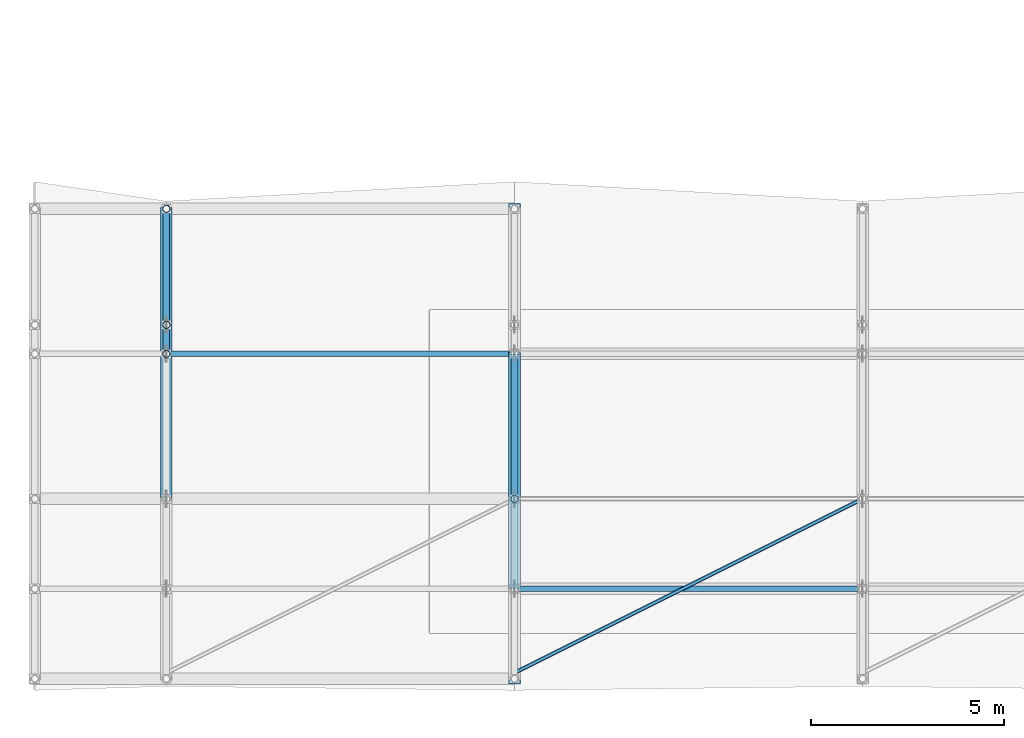
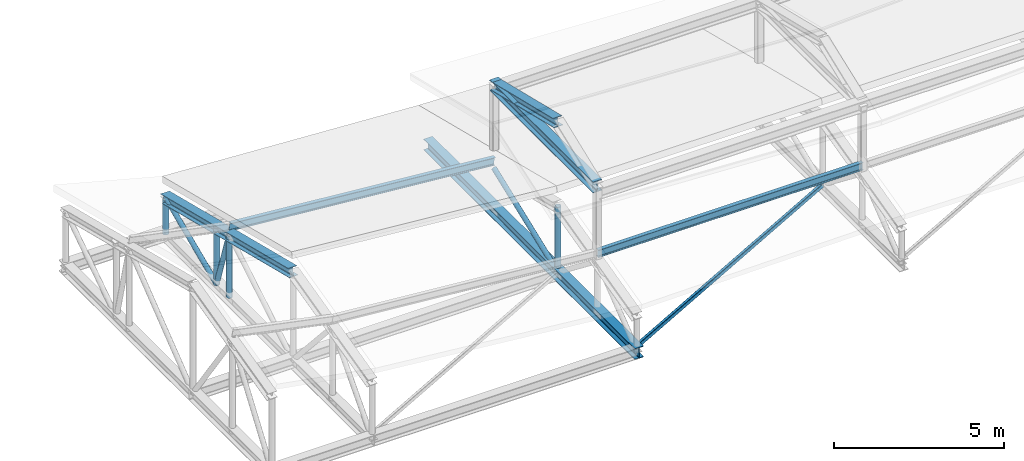
# One storey, part 13 of 55: 12 members, 2 beams.
"""IFC4 building model written with IfcOpenShell, lengths in metres."""

import ifcopenshell
import ifcopenshell.guid

model = None  # the IFC model being written
_history = None  # IfcOwnerHistory: only IFC2X3 demands one
_inside = {}  # id of a spatial element -> (the spatial element, [elements in it])
_under = {}  # id of a project, library or spatial element -> (it, [spatial elements below it])
_declared = {}  # id of a project -> (the project, [libraries it declares])
_typed = {}  # id of a type object -> (the type object, [elements of that type])
_made_of = {}  # id of a material, layer set ... -> (it, [elements and type objects made of it])


def new_model(schema):
    """Start an empty IFC model of exactly this schema.

    Asked for "IFC4X3", IfcOpenShell would pick the latest addendum, in which some entities
    have other attributes; the version numbers below select the first issue.
    IFC2X3 requires an IfcOwnerHistory on every rooted entity: one is made here for all.
    """
    global model, _history
    if schema == "IFC4X3":
        model = ifcopenshell.file(schema_version=(4, 3, 0, 0))
    else:
        model = ifcopenshell.file(schema=schema)
    _inside.clear()
    _under.clear()
    _declared.clear()
    _typed.clear()
    _made_of.clear()
    _history = None
    if model.schema == "IFC2X3":
        org = make("IfcOrganization", Name="unknown")
        user = make(
            "IfcPersonAndOrganization",
            ThePerson=make("IfcPerson", FamilyName="unknown"),
            TheOrganization=org,
        )
        app = make(
            "IfcApplication",
            ApplicationDeveloper=org,
            Version="unknown",
            ApplicationFullName="unknown",
            ApplicationIdentifier="unknown",
        )
        _history = make(
            "IfcOwnerHistory",
            OwningUser=user,
            OwningApplication=app,
            ChangeAction="ADDED",
            CreationDate=0,
        )
    return model


def make(cls, **values):
    """One entity of the class cls with the attributes given. An attribute that is None is left unset."""
    return model.create_entity(
        cls, **{name: value for name, value in values.items() if value is not None}
    )


def rooted(cls, **values):
    """An entity with a GlobalId (a new one), such as an element, a storey or a relation."""
    return make(cls, GlobalId=ifcopenshell.guid.new(), OwnerHistory=_history, **values)


def si_unit(unit_type, name, prefix=None):
    """IfcSIUnit, for example si_unit("LENGTHUNIT", "METRE", prefix="MILLI")."""
    return make("IfcSIUnit", UnitType=unit_type, Prefix=prefix, Name=name)


def assignment(units):
    """IfcUnitAssignment: the units of a project."""
    return None if units is None else make("IfcUnitAssignment", Units=units)


def point(xyz):
    """IfcCartesianPoint."""
    return None if xyz is None else make("IfcCartesianPoint", Coordinates=xyz)


def direction(xyz):
    """IfcDirection."""
    return None if xyz is None else make("IfcDirection", DirectionRatios=xyz)


def frame(location, z_axis=None, x_axis=None):
    """IfcAxis2Placement3D, a coordinate frame: its origin and axes. An axis left out is left unset."""
    return make(
        "IfcAxis2Placement3D",
        Location=point(location),
        Axis=direction(z_axis),
        RefDirection=direction(x_axis),
    )


def frame_2d(location, x_axis=None):
    """IfcAxis2Placement2D, a coordinate frame in the plane: its origin and x axis."""
    return make(
        "IfcAxis2Placement2D", Location=point(location), RefDirection=direction(x_axis)
    )


def origin():
    """The frame at (0, 0, 0) with its axes left unset."""
    return frame((0.0, 0.0, 0.0))


def origin_2d():
    """The frame at (0, 0) in the plane with its x axis left unset."""
    return frame_2d((0.0, 0.0))


def place(relative_to, where):
    """IfcLocalPlacement: puts the frame where relative to a parent placement (None: the world)."""
    return make(
        "IfcLocalPlacement", PlacementRelTo=relative_to, RelativePlacement=where
    )


def context(
    kind, dimensions, precision=None, world=None, true_north=None, identifier=None
):
    """IfcGeometricRepresentationContext, for example the 3D "Model" context."""
    return make(
        "IfcGeometricRepresentationContext",
        ContextIdentifier=identifier,
        ContextType=kind,
        CoordinateSpaceDimension=dimensions,
        Precision=precision,
        WorldCoordinateSystem=world,
        TrueNorth=true_north,
    )


def subcontext(parent, identifier, kind, view, scale=None):
    """IfcGeometricRepresentationSubContext, for example "Body" below "Model"."""
    return make(
        "IfcGeometricRepresentationSubContext",
        ContextIdentifier=identifier,
        ContextType=kind,
        ParentContext=parent,
        TargetScale=scale,
        TargetView=view,
    )


def project(units=None, contexts=None):
    """IfcProject with its units and contexts."""
    return rooted(
        "IfcProject",
        Name="project",
        RepresentationContexts=contexts,
        UnitsInContext=assignment(units),
    )


def spatial(cls, under=None, at=None, **own):
    """A site, building, storey or space (cls), placed at a placement, below another one or the project."""
    s = rooted(cls, ObjectPlacement=at, **own)
    if under is not None:
        _under.setdefault(under.id(), (under, []))[1].append(s)
    return s


def profile(cls, at=None, kind="AREA", **sizes):
    """A parametric profile (cls). Its sizes go by their IFC names, for example OverallWidth=200.0."""
    return make(cls, ProfileType=kind, Position=at, **sizes)


def hollow_rectangle(**sizes):
    """IfcRectangleHollowProfileDef."""
    return profile("IfcRectangleHollowProfileDef", **sizes)


def hollow_circle(**sizes):
    """IfcCircleHollowProfileDef."""
    return profile("IfcCircleHollowProfileDef", **sizes)


def i_section(**sizes):
    """IfcIShapeProfileDef."""
    return profile("IfcIShapeProfileDef", **sizes)


def extrude(swept, where, along, depth):
    """IfcExtrudedAreaSolid: the profile swept, set in the frame where, extruded along a direction by depth."""
    return make(
        "IfcExtrudedAreaSolid",
        SweptArea=swept,
        Position=where,
        ExtrudedDirection=direction(along),
        Depth=depth,
    )


def shape(context_of_items, identifier, shape_type, items):
    """IfcShapeRepresentation: the items that make up one representation, for example the "Body"."""
    return make(
        "IfcShapeRepresentation",
        ContextOfItems=context_of_items,
        RepresentationIdentifier=identifier,
        RepresentationType=shape_type,
        Items=items,
    )


def material(Name=None, Category=None):
    """IfcMaterial."""
    return make("IfcMaterial", Name=Name, Category=Category)


def material_profile(
    of_material, cross_section, Name=None, Category=None, Priority=None
):
    """IfcMaterialProfile: a cross section and its material."""
    return make(
        "IfcMaterialProfile",
        Name=Name,
        Material=of_material,
        Profile=cross_section,
        Priority=Priority,
        Category=Category,
    )


def profile_set(profiles, Name=None, composite=None):
    """IfcMaterialProfileSet."""
    return make(
        "IfcMaterialProfileSet",
        Name=Name,
        MaterialProfiles=profiles,
        CompositeProfile=composite,
    )


def made_of(thing, what):
    """Note that an element or type object is made of a material, layer set ...; save() writes the relation."""
    if what is not None:
        _made_of.setdefault(what.id(), (what, []))[1].append(thing)
    return thing


def type_object(cls, material=None, **own):
    """A type object (cls), such as IfcWallType, which elements share."""
    return made_of(rooted(cls, **own), material)


def element(
    cls,
    number,
    at=None,
    inside=None,
    cuts=None,
    type_object=None,
    material=None,
    context=None,
    identifier="Body",
    shape_type=None,
    held_by="IfcProductDefinitionShape",
    body=None,
    shapes=None,
    **own,
):
    """One element of the class cls, such as IfcWall. Its Tag is "e" and its number.

    at: its placement. inside: the storey or other place that contains it. cuts: it is an
    opening in that element (IfcRelVoidsElement). A single representation is given by context,
    identifier, shape_type and body (its items); several are given by shapes. held_by: the class
    of the entity that holds the representations. save() writes the other relations.
    """
    e = rooted(cls, Tag="e%d" % number, ObjectPlacement=at, **own)
    if body is not None:
        shapes = [shape(context, identifier, shape_type, body)]
    if shapes is not None:
        e.Representation = make(held_by, Representations=shapes)
    if inside is not None:
        _inside.setdefault(inside.id(), (inside, []))[1].append(e)
    if cuts is not None:
        rooted(
            "IfcRelVoidsElement", RelatingBuildingElement=cuts, RelatedOpeningElement=e
        )
    if type_object is not None:
        _typed.setdefault(type_object.id(), (type_object, []))[1].append(e)
    return made_of(e, material)


def aggregate(whole, parts):
    """IfcRelAggregates: a whole, such as a stair, and the parts it consists of."""
    return rooted("IfcRelAggregates", RelatingObject=whole, RelatedObjects=parts)


def save(model, path):
    """Write the relations noted so far, then the file.

    IfcRelAggregates (storeys below a building ...), IfcRelContainedInSpatialStructure (elements
    in a storey), IfcRelDefinesByType, IfcRelAssociatesMaterial and IfcRelDeclares: one each for
    every whole, place, type object, material and project.
    """
    for whole, parts in _under.values():
        aggregate(whole, parts)
    for where, things in _inside.values():
        rooted(
            "IfcRelContainedInSpatialStructure",
            RelatedElements=things,
            RelatingStructure=where,
        )
    for kind, things in _typed.values():
        rooted("IfcRelDefinesByType", RelatedObjects=things, RelatingType=kind)
    for what, things in _made_of.values():
        rooted("IfcRelAssociatesMaterial", RelatedObjects=things, RelatingMaterial=what)
    for by, libraries in _declared.values():
        rooted("IfcRelDeclares", RelatingContext=by, RelatedDefinitions=libraries)
    model.write(path)


model = new_model("IFC4")

# Units and contexts
model_context = context("Model", 3, precision=1e-05, world=origin(), true_north=direction((0.0, 1.0)))
body_context = subcontext(model_context, "Body", "Model", "MODEL_VIEW")
ifc_project = project(units=[si_unit("LENGTHUNIT", "METRE"), si_unit("AREAUNIT", "SQUARE_METRE"), si_unit("VOLUMEUNIT", "CUBIC_METRE"), si_unit("PLANEANGLEUNIT", "RADIAN"), si_unit("MASSUNIT", "GRAM", prefix="KILO")], contexts=[model_context])

# Site, building, storey
site_placement = place(None, origin())
site = spatial("IfcSite", under=ifc_project, at=site_placement, CompositionType="ELEMENT")
building_placement = place(site_placement, origin())
building = spatial("IfcBuilding", under=site, at=building_placement, Name="Bozkorgan Art Gallery", CompositionType="ELEMENT")
storey_placement = place(building_placement, frame((0.0, 0.0, 15.0)))
storey = spatial("IfcBuildingStorey", under=building, at=storey_placement, Name="L03", CompositionType="ELEMENT", Elevation=15.0)

# Beams
ifc_material = material(Name="Steel S355J2", Category="steel")
ifc_material_profile_1 = material_profile(ifc_material, i_section(OverallWidth=0.300048828125, OverallDepth=0.39990234375, WebThickness=0.013427734375, FlangeThickness=0.02392578125, FilletRadius=0.027099609375, at=origin_2d()), Name="HEB 400")
ifc_profile_set_1 = profile_set([ifc_material_profile_1], Name="Steel S355J2")
beam_type_1 = type_object("IfcBeamType", Name="BEAM-TB-49", PredefinedType="BEAM", material=ifc_profile_set_1)
beam_1_placement = place(storey_placement, frame((92.0, 4.175048828125, 4.6943359375), z_axis=(0.0, 1.0, 0.0), x_axis=(-1.0, 0.0, 0.0)))
element("IfcBeam", 1, at=beam_1_placement, inside=storey, type_object=beam_type_1, Name="V3 stacked upper roof truss 1", PredefinedType="BEAM", context=body_context, shape_type="SweptSolid", body=[
    extrude(i_section(OverallWidth=0.300048828125, OverallDepth=0.39990234375, WebThickness=0.013427734375, FlangeThickness=0.02392578125, FilletRadius=0.027099609375, at=origin_2d()), origin(), (0.0, 0.0, 1.0), 6.074951171875),
])
ifc_material_profile_2 = material_profile(ifc_material, i_section(OverallWidth=0.300048828125, OverallDepth=0.39990234375, WebThickness=0.013427734375, FlangeThickness=0.02392578125, FilletRadius=0.027099609375, at=origin_2d()), Name="HEB 400")
ifc_profile_set_2 = profile_set([ifc_material_profile_2], Name="Steel S355J2")
beam_type_2 = type_object("IfcBeamType", Name="BEAM-TO-32", PredefinedType="BEAM", material=ifc_profile_set_2)
beam_2_placement = place(storey_placement, frame((92.0, 1.7099609375, 0.199951171875), z_axis=(0.0, 1.0, 0.0), x_axis=(-1.0, 0.0, 0.0)))
element("IfcBeam", 2, at=beam_2_placement, inside=storey, type_object=beam_type_2, Name="ROOF-V3-MAIN roof truss 3 bottom chord", PredefinedType="BEAM", context=body_context, shape_type="SweptSolid", body=[
    extrude(i_section(OverallWidth=0.300048828125, OverallDepth=0.39990234375, WebThickness=0.013427734375, FlangeThickness=0.02392578125, FilletRadius=0.027099609375, at=origin_2d()), origin(), (0.0, 0.0, 1.0), 12.429931640625),
])

# Members
ifc_material_profile_3 = material_profile(ifc_material, i_section(OverallWidth=0.135009765625, OverallDepth=0.27001953125, WebThickness=0.006591796875, FlangeThickness=0.01025390625, FilletRadius=0.014892578125, at=origin_2d()), Name="IPE 270")
ifc_profile_set_3 = profile_set([ifc_material_profile_3], Name="Steel S355J2")
member_type_1 = type_object("IfcMemberType", Name="MEMBER-PR-57", PredefinedType="PURLIN", material=ifc_profile_set_3)
member_1_placement = place(storey_placement, frame((83.0, 10.25, 2.719970703125), z_axis=(0.996276805455, 0.0, -0.086212104205), x_axis=(0.0, 1.0, 0.0)))
element("IfcMember", 3, at=member_1_placement, inside=storey, type_object=member_type_1, Name="ROOF-V3-MAIN roof purlin 2N", PredefinedType="PURLIN", context=body_context, shape_type="SweptSolid", body=[
    extrude(i_section(OverallWidth=0.135009765625, OverallDepth=0.27001953125, WebThickness=0.006591796875, FlangeThickness=0.01025390625, FilletRadius=0.014892578125, at=origin_2d()), origin(), (0.0, 0.0, 1.0), 9.03369140625),
])
member_2_placement = place(storey_placement, frame((92.0, 4.175048828125, 2.29638671875), z_axis=(1.0, 0.0, 0.0), x_axis=(0.0, 1.0, 0.0)))
element("IfcMember", 4, at=member_2_placement, inside=storey, type_object=member_type_1, Name="ROOF-V3-MAIN roof purlin 3S", PredefinedType="PURLIN", context=body_context, shape_type="SweptSolid", body=[
    extrude(i_section(OverallWidth=0.135009765625, OverallDepth=0.27001953125, WebThickness=0.006591796875, FlangeThickness=0.01025390625, FilletRadius=0.014892578125, at=origin_2d()), origin(), (0.0, 0.0, 1.0), 9.0),
])
ifc_material_profile_4 = material_profile(ifc_material, i_section(OverallWidth=0.300048828125, OverallDepth=0.31005859375, WebThickness=0.009033203125, FlangeThickness=0.015380859375, FilletRadius=0.027099609375, at=origin_2d()), Name="HEA 320")
ifc_profile_set_4 = profile_set([ifc_material_profile_4], Name="Steel S355J2")
member_type_2 = type_object("IfcMemberType", Name="MEMBER-TC-13", PredefinedType="CHORD", material=ifc_profile_set_4)
member_3_placement = place(storey_placement, frame((83.0, 6.5, 3.364990234375), z_axis=(0.0, 0.970290953223, -0.241941038466), x_axis=(-1.0, 0.0, 0.0)))
element("IfcMember", 5, at=member_3_placement, inside=storey, type_object=member_type_2, Name="ROOF-V3-MAIN roof truss 2 north top chord", PredefinedType="CHORD", context=body_context, shape_type="SweptSolid", body=[
    extrude(i_section(OverallWidth=0.300048828125, OverallDepth=0.31005859375, WebThickness=0.009033203125, FlangeThickness=0.015380859375, FilletRadius=0.027099609375, at=origin_2d()), origin(), (0.0, 0.0, 1.0), 7.729736328125),
])
member_4_placement = place(storey_placement, frame((92.0, 6.5, 5.6015625), z_axis=(0.0, 0.971960640183, -0.235143602794), x_axis=(-1.0, 0.0, 0.0)))
element("IfcMember", 6, at=member_4_placement, inside=storey, type_object=member_type_2, Name="V3 stacked upper north chord 1", PredefinedType="CHORD", context=body_context, shape_type="SweptSolid", body=[
    extrude(i_section(OverallWidth=0.300048828125, OverallDepth=0.31005859375, WebThickness=0.009033203125, FlangeThickness=0.015380859375, FilletRadius=0.027099609375, at=origin_2d()), origin(), (0.0, 0.0, 1.0), 3.858154296875),
])
ifc_material_profile_5 = material_profile(ifc_material, hollow_circle(Radius=0.096923828125, WallThickness=0.008056640625, at=origin_2d()), Name="CHS 193.7x8")
ifc_profile_set_5 = profile_set([ifc_material_profile_5], Name="Steel S355J2")
member_type_3 = type_object("IfcMemberType", Name="MEMBER-TP-46", PredefinedType="POST", material=ifc_profile_set_5)
member_5_placement = place(storey_placement, frame((83.0, 10.25, 0.199951171875), z_axis=(0.0, 0.0, 1.0), x_axis=(1.0, 0.0, 0.0)))
element("IfcMember", 7, at=member_5_placement, inside=storey, type_object=member_type_3, Name="ROOF-V3-MAIN roof truss 2 post 3", PredefinedType="POST", context=body_context, shape_type="SweptSolid", body=[
    extrude(hollow_circle(Radius=0.096923828125, WallThickness=0.008056640625, at=origin_2d()), origin(), (0.0, 0.0, 1.0), 2.22998046875),
])
member_6_placement = place(storey_placement, frame((83.0, 11.0, 0.199951171875), z_axis=(0.0, 0.0, 1.0), x_axis=(1.0, 0.0, 0.0)))
element("IfcMember", 8, at=member_6_placement, inside=storey, type_object=member_type_3, Name="ROOF-V3-MAIN roof truss 2 post 4", PredefinedType="POST", context=body_context, shape_type="SweptSolid", body=[
    extrude(hollow_circle(Radius=0.096923828125, WallThickness=0.008056640625, at=origin_2d()), origin(), (0.0, 0.0, 1.0), 2.04296875),
])
member_7_placement = place(storey_placement, frame((83.0, 14.0, 0.199951171875), z_axis=(0.0, 0.0, 1.0), x_axis=(1.0, 0.0, 0.0)))
element("IfcMember", 9, at=member_7_placement, inside=storey, type_object=member_type_3, Name="ROOF-V3-MAIN roof truss 2 post 5", PredefinedType="POST", context=body_context, shape_type="SweptSolid", body=[
    extrude(hollow_circle(Radius=0.096923828125, WallThickness=0.008056640625, at=origin_2d()), origin(), (0.0, 0.0, 1.0), 1.294921875),
])
member_8_placement = place(storey_placement, frame((92.0, 6.5, 0.199951171875), z_axis=(0.0, 0.0, 1.0), x_axis=(1.0, 0.0, 0.0)))
element("IfcMember", 10, at=member_8_placement, inside=storey, type_object=member_type_3, Name="ROOF-V3-MAIN roof truss 3 post 2", PredefinedType="POST", context=body_context, shape_type="SweptSolid", body=[
    extrude(hollow_circle(Radius=0.096923828125, WallThickness=0.008056640625, at=origin_2d()), origin(), (0.0, 0.0, 1.0), 2.38623046875),
])
ifc_material_profile_6 = material_profile(ifc_material, hollow_circle(Radius=0.084228515625, WallThickness=0.008056640625, at=origin_2d()), Name="CHS 168.3x8")
ifc_profile_set_6 = profile_set([ifc_material_profile_6], Name="Steel S355J2")
member_type_4 = type_object("IfcMemberType", Name="MEMBER-TW-40", PredefinedType="BRACE", material=ifc_profile_set_6)
member_9_placement = place(storey_placement, frame((83.0, 10.25, 2.429931640625), z_axis=(0.0, 0.318779346434, -0.947828955185), x_axis=(-1.0, 0.0, 0.0)))
element("IfcMember", 11, at=member_9_placement, inside=storey, type_object=member_type_4, Name="ROOF-V3-MAIN roof truss 2 diagonal 4", PredefinedType="BRACE", context=body_context, shape_type="SweptSolid", body=[
    extrude(hollow_circle(Radius=0.084228515625, WallThickness=0.008056640625, at=origin_2d()), origin(), (0.0, 0.0, 1.0), 2.352783203125),
])
member_10_placement = place(storey_placement, frame((83.0, 11.0, 0.199951171875), z_axis=(0.0, 0.91812167442, 0.396298613373), x_axis=(-1.0, 0.0, 0.0)))
element("IfcMember", 12, at=member_10_placement, inside=storey, type_object=member_type_4, Name="ROOF-V3-MAIN roof truss 2 diagonal 5", PredefinedType="BRACE", context=body_context, shape_type="SweptSolid", body=[
    extrude(hollow_circle(Radius=0.084228515625, WallThickness=0.008056640625, at=origin_2d()), origin(), (0.0, 0.0, 1.0), 3.267578125),
])
member_11_placement = place(storey_placement, frame((92.0, 6.5, 0.199951171875), z_axis=(0.0, 0.932605017803, 0.360898712618), x_axis=(-1.0, 0.0, 0.0)))
element("IfcMember", 13, at=member_11_placement, inside=storey, type_object=member_type_4, Name="ROOF-V3-MAIN roof truss 3 diagonal 3", PredefinedType="BRACE", context=body_context, shape_type="SweptSolid", body=[
    extrude(hollow_circle(Radius=0.084228515625, WallThickness=0.008056640625, at=origin_2d()), origin(), (0.0, 0.0, 1.0), 4.02099609375),
])
ifc_material_profile_7 = material_profile(ifc_material, hollow_rectangle(XDim=0.10009765625, YDim=0.14990234375, WallThickness=0.008056640625, InnerFilletRadius=0.011962890625, OuterFilletRadius=0.02001953125, at=origin_2d()), Name="RHS 150x100x8")
ifc_profile_set_7 = profile_set([ifc_material_profile_7], Name="Steel S355J2")
member_type_5 = type_object("IfcMemberType", Name="MEMBER-WB-10", PredefinedType="BRACE", material=ifc_profile_set_7)
member_12_placement = place(storey_placement, frame((92.0, 2.0, 0.199951171875), z_axis=(0.894427191, 0.4472135955, 0.0), x_axis=(-0.4472135955, 0.894427191, 0.0)))
element("IfcMember", 14, at=member_12_placement, inside=storey, type_object=member_type_5, Name="ROOF-V3-MAIN roof diaphragm wind brace 2", PredefinedType="BRACE", context=body_context, shape_type="SweptSolid", body=[
    extrude(hollow_rectangle(XDim=0.10009765625, YDim=0.14990234375, WallThickness=0.008056640625, InnerFilletRadius=0.011962890625, OuterFilletRadius=0.02001953125, at=origin_2d()), origin(), (0.0, 0.0, 1.0), 10.062255859375),
])

save(model, "model.ifc")
